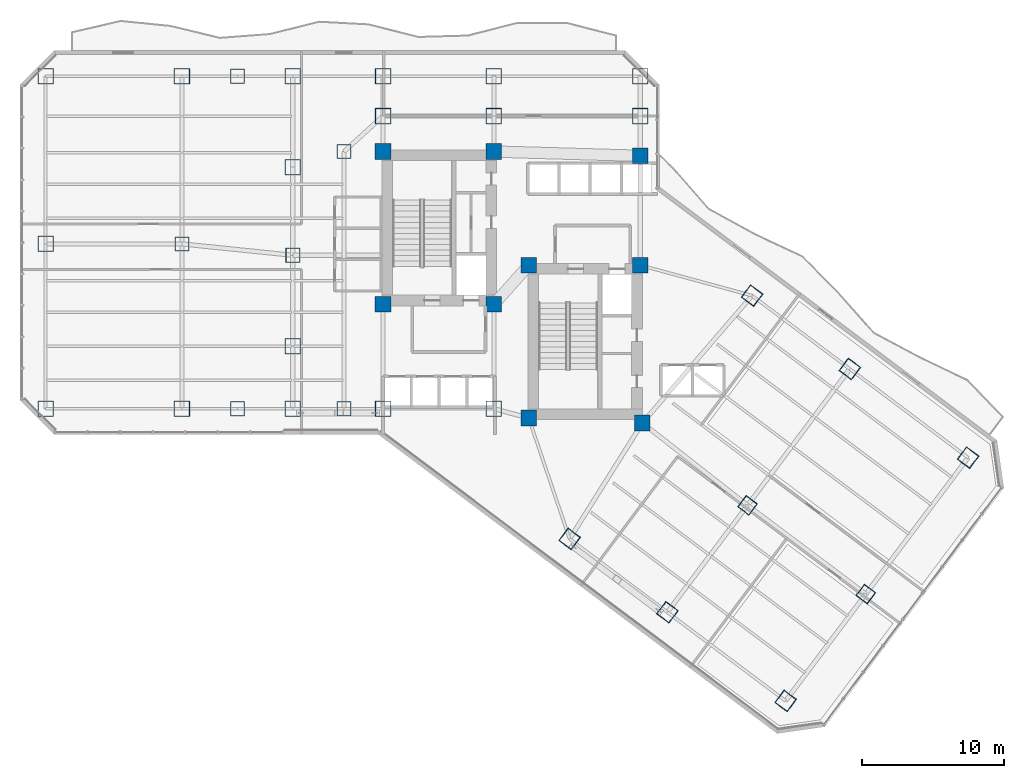
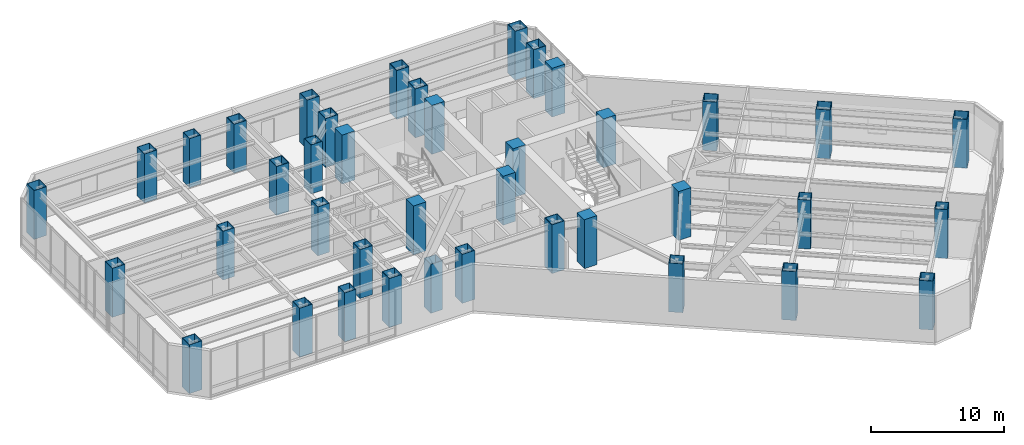
# One storey, part 1 of 29: 40 columns.
"""IFC4 building model written with IfcOpenShell, lengths in metres."""

from ifc_helpers import new_model, si_unit, direction, frame, origin, origin_2d, place, context, subcontext, project, spatial, rectangle, hollow_rectangle, extrude, material, material_profile, profile_set, type_object, element, save


model = new_model("IFC4")

# Units and contexts
model_context = context("Model", 3, precision=1e-05, world=origin(), true_north=direction((0.0, 1.0)))
body_context = subcontext(model_context, "Body", "Model", "MODEL_VIEW")
ifc_project = project(units=[si_unit("LENGTHUNIT", "METRE"), si_unit("AREAUNIT", "SQUARE_METRE"), si_unit("VOLUMEUNIT", "CUBIC_METRE"), si_unit("PLANEANGLEUNIT", "RADIAN"), si_unit("MASSUNIT", "GRAM", prefix="KILO")], contexts=[model_context])

# Site, building, storey
site_placement = place(None, origin())
site = spatial("IfcSite", under=ifc_project, at=site_placement, CompositionType="ELEMENT")
building_placement = place(site_placement, origin())
building = spatial("IfcBuilding", under=site, at=building_placement, Name="Hatsunagi Terrace Concourse", CompositionType="ELEMENT")
storey_placement = place(building_placement, frame((0.0, 0.0, 32.10009765625)))
storey = spatial("IfcBuildingStorey", under=building, at=storey_placement, Name="L07", CompositionType="ELEMENT", Elevation=32.10009765625)

# Columns
ifc_material_1 = material(Name="Concrete Fc60", Category="concrete")
ifc_material_profile_1 = material_profile(ifc_material_1, rectangle(XDim=1.10009765625, YDim=1.10009765625, at=origin_2d()), Name="RC-1100x1100")
ifc_profile_set_1 = profile_set([ifc_material_profile_1], Name="Concrete Fc60")
column_type_1 = type_object("IfcColumnType", Name="CoreColumn_RC_1100x1100", PredefinedType="COLUMN", material=ifc_profile_set_1)
for number, where, z_axis, x_axis, name in (
    (1, (25.550048828125, 32.550048828125, 0.0), (0.0, 0.0, 1.0), (1.0, 0.0, 0.0), "Column C-01 L07-CASW"),
    (2, (33.35009765625, 32.550048828125, 0.0), (0.0, 0.0, 1.0), (1.0, 0.0, 0.0), "Column C-01 L07-CASE"),
    (3, (25.550048828125, 43.300048828125, 0.0), (0.0, 0.0, 1.0), (1.0, 0.0, 0.0), "Column C-01 L07-CANW"),
    (4, (33.35009765625, 43.300048828125, 0.0), (0.0, 0.0, 1.0), (1.0, 0.0, 0.0), "Column C-01 L07-CANE"),
    (5, (35.800048828125, 24.550048828125, 0.0), (0.0, 0.0, 1.0), (1.0, 0.0, 0.0), "Column C-01 L07-CBSW"),
    (6, (43.800048828125, 24.199951171875, 0.0), (0.0, 0.0, 1.0), (1.0, 0.0, 0.0), "Column C-01 L07-CBSE"),
    (7, (35.800048828125, 35.300048828125, 0.0), (0.0, 0.0, 1.0), (1.0, 0.0, 0.0), "Column C-01 L07-CBNW"),
    (8, (43.64990234375, 35.300048828125, 0.0), (0.0, 0.0, 1.0), (1.0, 0.0, 0.0), "Column C-01 L07-CBNE"),
    (9, (43.64990234375, 43.0, 0.0), (0.0, 0.0, 1.0), (1.0, 0.0, 0.0), "Column C-01 L07-K3"),
):
    element("IfcColumn", number, at=place(storey_placement, frame(where, z_axis=z_axis, x_axis=x_axis)), inside=storey, type_object=column_type_1, Name=name, PredefinedType="COLUMN", context=body_context, shape_type="SweptSolid", body=[
        extrude(rectangle(XDim=1.10009765625, YDim=1.10009765625, at=origin_2d()), origin(), (0.0, 0.0, 1.0), 4.5),
    ])
ifc_material_2 = material(Name="Steel BCP325T", Category="steel")
ifc_material_profile_2 = material_profile(ifc_material_2, hollow_rectangle(XDim=1.10009765625, YDim=1.10009765625, WallThickness=0.0400390625, at=origin_2d()), Name="BCP-1100x1100x40")
ifc_profile_set_2 = profile_set([ifc_material_profile_2], Name="Steel BCP325T")
column_type_2 = type_object("IfcColumnType", Name="MegaColumn_BCP_1100x1100x40", PredefinedType="COLUMN", material=ifc_profile_set_2)
for number, where, z_axis, x_axis, name in (
    (10, (25.550048828125, 25.199951171875, 0.0), (0.0, 0.0, 1.0), (1.0, 0.0, 0.0), "Mega column MC-02 L07-K1"),
    (11, (33.35009765625, 25.199951171875, 0.0), (0.0, 0.0, 1.0), (1.0, 0.0, 0.0), "Mega column MC-02 L07-K2"),
    (12, (25.550048828125, 45.800048828125, 0.0), (0.0, 0.0, 1.0), (1.0, 0.0, 0.0), "Mega column MC-02 L07-CN1"),
    (13, (33.35009765625, 45.800048828125, 0.0), (0.0, 0.0, 1.0), (1.0, 0.0, 0.0), "Mega column MC-02 L07-CN2"),
    (14, (43.64990234375, 45.800048828125, 0.0), (0.0, 0.0, 1.0), (1.0, 0.0, 0.0), "Mega column MC-02 L07-CN3"),
    (15, (1.800048828125, 25.199951171875, 0.0), (0.0, 0.0, 1.0), (1.0, 0.0, 0.0), "Mega column MC-02 L07-WS1"),
    (16, (1.800048828125, 48.60009765625, 0.0), (0.0, 0.0, 1.0), (1.0, 0.0, 0.0), "Mega column MC-02 L07-WN1"),
    (17, (1.800048828125, 36.800048828125, 0.0), (0.0, 0.0, 1.0), (1.0, 0.0, 0.0), "Mega column MC-02 L07-WM0"),
    (18, (11.39990234375, 25.199951171875, 0.0), (0.0, 0.0, 1.0), (1.0, 0.0, 0.0), "Mega column MC-02 L07-WS2"),
    (19, (11.39990234375, 48.60009765625, 0.0), (0.0, 0.0, 1.0), (1.0, 0.0, 0.0), "Mega column MC-02 L07-WN2"),
    (20, (19.199951171875, 48.60009765625, 0.0), (0.0, 0.0, 1.0), (1.0, 0.0, 0.0), "Mega column MC-02 L07-WN3"),
    (21, (25.550048828125, 48.60009765625, 0.0), (0.0, 0.0, 1.0), (1.0, 0.0, 0.0), "Mega column MC-02 L07-WN4"),
    (22, (33.35009765625, 48.60009765625, 0.0), (0.0, 0.0, 1.0), (1.0, 0.0, 0.0), "Mega column MC-02 L07-WN5"),
    (23, (43.64990234375, 48.60009765625, 0.0), (0.0, 0.0, 1.0), (1.0, 0.0, 0.0), "Mega column MC-02 L07-WN6"),
    (24, (19.199951171875, 25.199951171875, 0.0), (0.0, 0.0, 1.0), (1.0, 0.0, 0.0), "Mega column MC-02 L07-WS3"),
    (25, (19.199951171875, 29.60009765625, 0.0), (0.0, 0.0, 1.0), (1.0, 0.0, 0.0), "Mega column MC-02 L07-WR1"),
    (26, (19.199951171875, 42.199951171875, 0.0), (0.0, 0.0, 1.0), (1.0, 0.0, 0.0), "Mega column MC-02 L07-WR2"),
    (27, (38.679931640625, 16.0400390625, 0.0), (0.0, 0.0, 1.0), (0.799999996291, -0.600000004945, 0.0), "Mega column MC-02 L07-SES1"),
    (28, (51.52001953125, 33.159912109375, 0.0), (0.0, 0.0, 1.0), (0.799999996291, -0.600000004945, 0.0), "Mega column MC-02 L07-SEN1"),
    (29, (45.56005859375, 10.8798828125, 0.0), (0.0, 0.0, 1.0), (0.799999996291, -0.600000004945, 0.0), "Mega column MC-02 L07-SES2"),
    (30, (58.39990234375, 28.0, 0.0), (0.0, 0.0, 1.0), (0.799999996291, -0.600000004945, 0.0), "Mega column MC-02 L07-SEN2"),
    (31, (53.8798828125, 4.639892578125, 0.0), (0.0, 0.0, 1.0), (0.799999996291, -0.600000004945, 0.0), "Mega column MC-02 L07-SES3"),
    (32, (66.719970703125, 21.760009765625, 0.0), (0.0, 0.0, 1.0), (0.799999996291, -0.600000004945, 0.0), "Mega column MC-02 L07-SEN3"),
):
    element("IfcColumn", number, at=place(storey_placement, frame(where, z_axis=z_axis, x_axis=x_axis)), inside=storey, type_object=column_type_2, Name=name, PredefinedType="COLUMN", context=body_context, shape_type="SweptSolid", body=[
        extrude(hollow_rectangle(XDim=1.10009765625, YDim=1.10009765625, WallThickness=0.0400390625, at=origin_2d()), origin(), (0.0, 0.0, 1.0), 4.5),
    ])
ifc_material_3 = material(Name="Steel BCP325T", Category="steel")
ifc_material_profile_3 = material_profile(ifc_material_3, hollow_rectangle(XDim=1.0, YDim=1.0, WallThickness=0.0380859375, at=origin_2d()), Name="BCP-1000x1000x38")
ifc_profile_set_3 = profile_set([ifc_material_profile_3], Name="Steel BCP325T")
column_type_3 = type_object("IfcColumnType", Name="TowerBoxColumn_1000x1000x38", PredefinedType="COLUMN", material=ifc_profile_set_3)
for number, where, z_axis, x_axis, name in (
    (33, (22.800048828125, 25.199951171875, 0.0), (0.0, 0.0, 1.0), (1.0, 0.0, 0.0), "Column C-03 L07-CW1"),
    (34, (22.800048828125, 43.300048828125, 0.0), (0.0, 0.0, 1.0), (1.0, 0.0, 0.0), "Column C-03 L07-CW2"),
    (35, (11.39990234375, 36.800048828125, 0.0), (0.0, 0.0, 1.0), (1.0, 0.0, 0.0), "Column C-03 L07-WT1"),
    (36, (19.199951171875, 36.0, 0.0), (0.0, 0.0, 1.0), (1.0, 0.0, 0.0), "Column C-03 L07-WT2"),
    (37, (15.300048828125, 25.199951171875, 0.0), (0.0, 0.0, 1.0), (1.0, 0.0, 0.0), "Column C-03 L07-WT3"),
    (38, (15.300048828125, 48.60009765625, 0.0), (0.0, 0.0, 1.0), (1.0, 0.0, 0.0), "Column C-03 L07-WT4"),
    (39, (51.199951171875, 18.39990234375, 0.0), (0.0, 0.0, 1.0), (0.799999996291, -0.600000004945, 0.0), "Column C-03 L07-SEM2"),
    (40, (59.52001953125, 12.159912109375, 0.0), (0.0, 0.0, 1.0), (0.799999996291, -0.600000004945, 0.0), "Column C-03 L07-SEM3"),
):
    element("IfcColumn", number, at=place(storey_placement, frame(where, z_axis=z_axis, x_axis=x_axis)), inside=storey, type_object=column_type_3, Name=name, PredefinedType="COLUMN", context=body_context, shape_type="SweptSolid", body=[
        extrude(hollow_rectangle(XDim=1.0, YDim=1.0, WallThickness=0.0380859375, at=origin_2d()), origin(), (0.0, 0.0, 1.0), 4.5),
    ])

save(model, "model.ifc")
